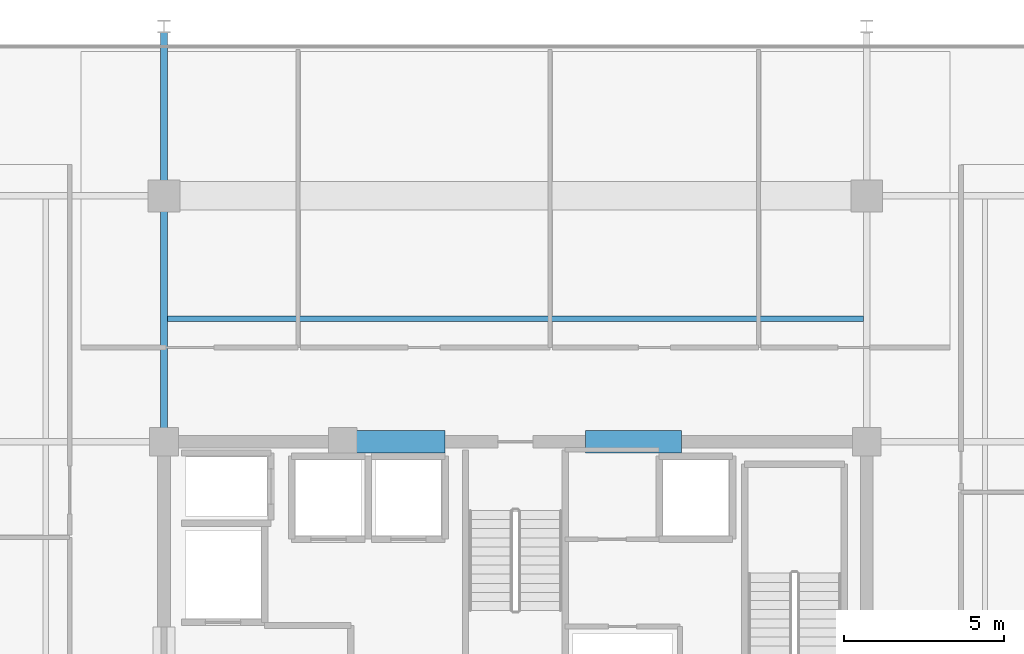
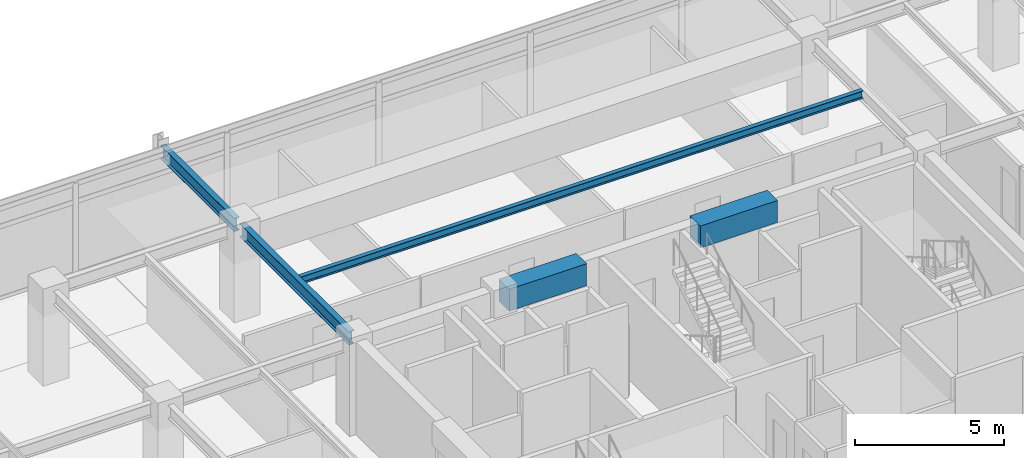
# One storey, part 7 of 21: 5 beams.
"""IFC4 building model written with IfcOpenShell, lengths in metres."""

from ifc_helpers import new_model, si_unit, direction, frame, origin, origin_2d, place, context, subcontext, project, spatial, rectangle, i_section, extrude, material, material_profile, profile_set, type_object, element, save


model = new_model("IFC4")

# Units and contexts
model_context = context("Model", 3, precision=1e-05, world=origin(), true_north=direction((0.0, 1.0)))
body_context = subcontext(model_context, "Body", "Model", "MODEL_VIEW")
ifc_project = project(units=[si_unit("LENGTHUNIT", "METRE"), si_unit("AREAUNIT", "SQUARE_METRE"), si_unit("VOLUMEUNIT", "CUBIC_METRE"), si_unit("PLANEANGLEUNIT", "RADIAN"), si_unit("MASSUNIT", "GRAM", prefix="KILO")], contexts=[model_context])

# Site, building, storey
site_placement = place(None, origin())
site = spatial("IfcSite", under=ifc_project, at=site_placement, CompositionType="ELEMENT")
building_placement = place(site_placement, origin())
building = spatial("IfcBuilding", under=site, at=building_placement, Name="Kovane Verandah Tower", CompositionType="ELEMENT")
storey_placement = place(building_placement, frame((0.0, 0.0, 310.800048828125)))
storey = spatial("IfcBuildingStorey", under=building, at=storey_placement, Name="L72", CompositionType="ELEMENT", Elevation=310.800048828125)

# Beams
ifc_material_1 = material(Name="Concrete C60/75", Category="concrete")
ifc_material_profile_1 = material_profile(ifc_material_1, rectangle(XDim=0.699951171875, YDim=0.89990234375, at=origin_2d()), Name="RCB700x900")
ifc_profile_set_1 = profile_set([ifc_material_profile_1], Name="Concrete C60/75")
beam_type_1 = type_object("IfcBeamType", Name="BM-LINTEL-700x900", PredefinedType="LINTEL", material=ifc_profile_set_1)
for number, where, z_axis, x_axis, name in (
    (1, (34.800048828125, 36.5, 3.3349609375), (1.0, 0.0, 0.0), (0.0, 1.0, 0.0), "L72 Core Coupling Lintel CL-N1"),
    (2, (42.199951171875, 36.5, 3.3349609375), (1.0, 0.0, 0.0), (0.0, 1.0, 0.0), "L72 Core Coupling Lintel CL-N2"),
):
    element("IfcBeam", number, at=place(storey_placement, frame(where, z_axis=z_axis, x_axis=x_axis)), inside=storey, type_object=beam_type_1, Name=name, PredefinedType="LINTEL", context=body_context, shape_type="SweptSolid", body=[
        extrude(rectangle(XDim=0.699951171875, YDim=0.89990234375, at=origin_2d()), origin(), (0.0, 0.0, 1.0), 3.0),
    ])
ifc_material_2 = material(Name="Steel S355", Category="steel")
ifc_material_profile_2 = material_profile(ifc_material_2, i_section(OverallWidth=0.2119140625, OverallDepth=0.54443359375, WebThickness=0.0126953125, FlangeThickness=0.021240234375, FilletRadius=0.0126953125, at=origin_2d()), Name="UB533x210x122")
ifc_profile_set_2 = profile_set([ifc_material_profile_2], Name="Steel S355")
beam_type_2 = type_object("IfcBeamType", Name="BM-UB533x122", PredefinedType="BEAM", material=ifc_profile_set_2)
beam_1_placement = place(storey_placement, frame((29.0, 36.679931640625, 3.5126953125), z_axis=(0.0, 1.0, 0.0), x_axis=(-1.0, 0.0, 0.0)))
element("IfcBeam", 3, at=beam_1_placement, inside=storey, type_object=beam_type_2, Name="L72 Primary Tower Girder G-N1", PredefinedType="BEAM", context=body_context, shape_type="SweptSolid", body=[
    extrude(i_section(OverallWidth=0.2119140625, OverallDepth=0.54443359375, WebThickness=0.0126953125, FlangeThickness=0.021240234375, FilletRadius=0.0126953125, at=origin_2d()), origin(), (0.0, 0.0, 1.0), 7.340087890625),
])
beam_2_placement = place(storey_placement, frame((29.0, 44.3798828125, 3.48779296875), z_axis=(0.0, 1.0, 0.0), x_axis=(-1.0, 0.0, 0.0)))
element("IfcBeam", 4, at=beam_2_placement, inside=storey, type_object=beam_type_2, Name="L72 Primary Tower Girder G-VN1", PredefinedType="BEAM", context=body_context, shape_type="SweptSolid", body=[
    extrude(i_section(OverallWidth=0.2119140625, OverallDepth=0.54443359375, WebThickness=0.0126953125, FlangeThickness=0.021240234375, FilletRadius=0.0126953125, at=origin_2d()), origin(), (0.0, 0.0, 1.0), 4.940185546875),
])
ifc_material_profile_3 = material_profile(ifc_material_2, i_section(OverallWidth=0.1669921875, OverallDepth=0.310302734375, WebThickness=0.0078125, FlangeThickness=0.013671875, FilletRadius=0.0087890625, at=origin_2d()), Name="UB305x165x54")
ifc_profile_set_3 = profile_set([ifc_material_profile_3], Name="Steel S355")
beam_type_3 = type_object("IfcBeamType", Name="JST-UB305x54", PredefinedType="JOIST", material=ifc_profile_set_3)
beam_3_placement = place(storey_placement, frame((29.10400390625, 40.35009765625, 3.629638671875), z_axis=(1.0, 0.0, 0.0), x_axis=(0.0, 1.0, 0.0)))
element("IfcBeam", 5, at=beam_3_placement, inside=storey, type_object=beam_type_3, Name="L72 Secondary Composite Joist J-N1", PredefinedType="JOIST", context=body_context, shape_type="SweptSolid", body=[
    extrude(i_section(OverallWidth=0.1669921875, OverallDepth=0.310302734375, WebThickness=0.0078125, FlangeThickness=0.013671875, FilletRadius=0.0087890625, at=origin_2d()), origin(), (0.0, 0.0, 1.0), 21.7919921875),
])

save(model, "model.ifc")
